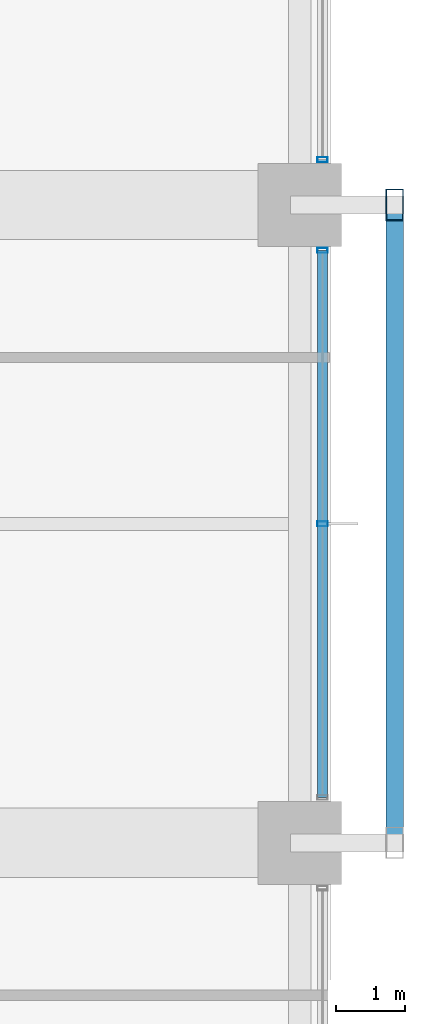
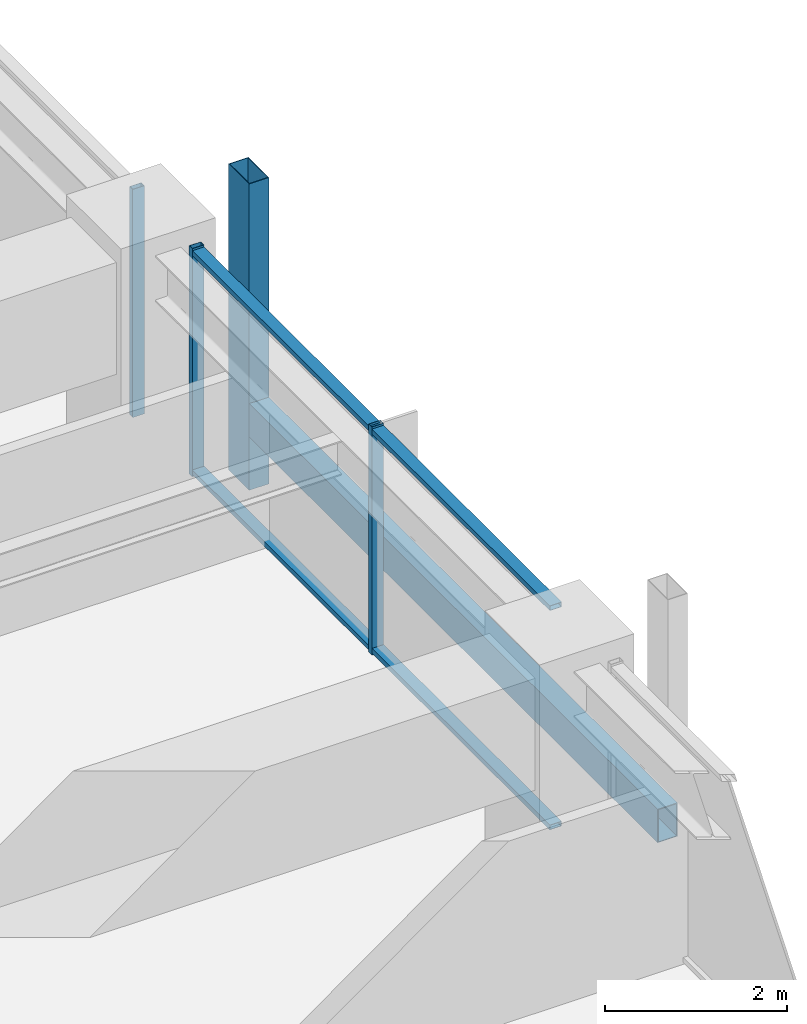
# One storey, part 15 of 37: 7 members, 2 elements without a shape of their own.
"""IFC4 building model written with IfcOpenShell, lengths in metres."""

from ifc_helpers import new_model, si_unit, direction, frame, origin, origin_2d, place, context, subcontext, project, spatial, hollow_rectangle, extrude, material, material_profile, profile_set, type_object, element, aggregate, save


model = new_model("IFC4")

# Units and contexts
model_context = context("Model", 3, precision=1e-05, world=origin(), true_north=direction((0.0, 1.0)))
body_context = subcontext(model_context, "Body", "Model", "MODEL_VIEW")
ifc_project = project(units=[si_unit("LENGTHUNIT", "METRE"), si_unit("AREAUNIT", "SQUARE_METRE"), si_unit("VOLUMEUNIT", "CUBIC_METRE"), si_unit("PLANEANGLEUNIT", "RADIAN"), si_unit("MASSUNIT", "GRAM", prefix="KILO")], contexts=[model_context])

# Site, building, storey
site_placement = place(None, origin())
site = spatial("IfcSite", under=ifc_project, at=site_placement, CompositionType="ELEMENT")
building_placement = place(site_placement, origin())
building = spatial("IfcBuilding", under=site, at=building_placement, Name="Kolvaren Belvedere", CompositionType="ELEMENT")
storey_placement = place(building_placement, frame((0.0, 0.0, 43.60009765625)))
storey = spatial("IfcBuildingStorey", under=building, at=storey_placement, Name="L12", CompositionType="ELEMENT", Elevation=43.60009765625)

# Curtain wall, member
ifc_material_1 = material(Name="Anodised pale-metal aluminium AA 6063-T6", Category="aluminium")
curtain_wall_type = type_object("IfcCurtainWallType", Name="CW-Z1-LOW", PredefinedType="NOTDEFINED", material=ifc_material_1)
curtain_wall_1_placement = place(storey_placement, origin())
curtain_wall_1 = element("IfcCurtainWall", 1, at=curtain_wall_1_placement, inside=storey, type_object=curtain_wall_type, Name="L12 Unitised Curtain Wall FCW-L12-E-B1", PredefinedType="NOTDEFINED")
ifc_material_2 = material(Name="Anodised pale-metal aluminium AA 6063-T6", Category="aluminium")
ifc_material_profile_1 = material_profile(ifc_material_2, hollow_rectangle(XDim=0.070068359375, YDim=0.14990234375, WallThickness=0.004150390625, at=origin_2d()), Name="ALU-MUL-150X70")
ifc_profile_set_1 = profile_set([ifc_material_profile_1], Name="Anodised pale-metal aluminium AA 6063-T6")
member_type_1 = type_object("IfcMemberType", Name="CW-MUL-150", PredefinedType="MULLION", material=ifc_profile_set_1)
member_1_placement = place(storey_placement, frame((21.8798828125, 5.2548828125, 0.0), z_axis=(0.0, 0.0, 1.0), x_axis=(0.0, 1.0, 0.0)))
member_1 = element("IfcMember", 2, at=member_1_placement, type_object=member_type_1, Name="FCW-L12-E-B1 Unitised Mullion 3", PredefinedType="MULLION", context=body_context, shape_type="SweptSolid", body=[
    extrude(hollow_rectangle(XDim=0.070068359375, YDim=0.14990234375, WallThickness=0.004150390625, at=origin_2d()), origin(), (0.0, 0.0, 1.0), 3.059814453125),
])
aggregate(curtain_wall_1, [member_1])

# Curtain wall, members
curtain_wall_2_placement = place(storey_placement, origin())
curtain_wall_2 = element("IfcCurtainWall", 3, at=curtain_wall_2_placement, inside=storey, type_object=curtain_wall_type, Name="L12 Unitised Curtain Wall FCW-L12-E-B2", PredefinedType="NOTDEFINED")
member_2_placement = place(storey_placement, frame((21.8798828125, 3.945068359375, 0.0), z_axis=(0.0, 0.0, 1.0), x_axis=(0.0, 1.0, 0.0)))
member_2 = element("IfcMember", 4, at=member_2_placement, type_object=member_type_1, Name="FCW-L12-E-B2 Unitised Mullion 1", PredefinedType="MULLION", context=body_context, shape_type="SweptSolid", body=[
    extrude(hollow_rectangle(XDim=0.070068359375, YDim=0.14990234375, WallThickness=0.004150390625, at=origin_2d()), origin(), (0.0, 0.0, 1.0), 3.059814453125),
])
member_3_placement = place(storey_placement, frame((21.8798828125, 0.0, 0.0), z_axis=(0.0, 0.0, 1.0), x_axis=(0.0, 1.0, 0.0)))
member_3 = element("IfcMember", 5, at=member_3_placement, type_object=member_type_1, Name="FCW-L12-E-B2 Unitised Mullion 2", PredefinedType="MULLION", context=body_context, shape_type="SweptSolid", body=[
    extrude(hollow_rectangle(XDim=0.070068359375, YDim=0.14990234375, WallThickness=0.004150390625, at=origin_2d()), origin(), (0.0, 0.0, 1.0), 3.059814453125),
])
ifc_material_3 = material(Name="Anodised pale-metal aluminium AA 6063-T6", Category="aluminium")
ifc_material_profile_2 = material_profile(ifc_material_3, hollow_rectangle(XDim=0.06494140625, YDim=0.14990234375, WallThickness=0.00390625, at=origin_2d()), Name="ALU-TRN-150X65")
ifc_profile_set_2 = profile_set([ifc_material_profile_2], Name="Anodised pale-metal aluminium AA 6063-T6")
member_type_2 = type_object("IfcMemberType", Name="CW-TRN-150", PredefinedType="USERDEFINED", material=ifc_profile_set_2)
member_4_placement = place(storey_placement, frame((21.8798828125, 3.945068359375, 0.059814453125), z_axis=(0.0, -1.0, 0.0), x_axis=(0.0, 0.0, 1.0)))
member_4 = element("IfcMember", 6, at=member_4_placement, type_object=member_type_2, Name="FCW-L12-E-B2 Sill Transom", ObjectType="TRANSOM", PredefinedType="USERDEFINED", context=body_context, shape_type="SweptSolid", body=[
    extrude(hollow_rectangle(XDim=0.06494140625, YDim=0.14990234375, WallThickness=0.00390625, at=origin_2d()), origin(), (0.0, 0.0, 1.0), 7.89013671875),
])
member_5_placement = place(storey_placement, frame((21.8798828125, 3.945068359375, 3.0), z_axis=(0.0, -1.0, 0.0), x_axis=(0.0, 0.0, 1.0)))
member_5 = element("IfcMember", 7, at=member_5_placement, type_object=member_type_2, Name="FCW-L12-E-B2 Head Transom", ObjectType="TRANSOM", PredefinedType="USERDEFINED", context=body_context, shape_type="SweptSolid", body=[
    extrude(hollow_rectangle(XDim=0.06494140625, YDim=0.14990234375, WallThickness=0.00390625, at=origin_2d()), origin(), (0.0, 0.0, 1.0), 7.89013671875),
])
aggregate(curtain_wall_2, [member_2, member_3, member_4, member_5])

# Members
ifc_material_4 = material(Name="Anodised pale-metal aluminium AA 6063-T6", Category="aluminium")
ifc_material_profile_3 = material_profile(ifc_material_4, hollow_rectangle(XDim=0.25, YDim=0.449951171875, WallThickness=0.008544921875, at=origin_2d()), Name="ALU-PF-450X250")
ifc_profile_set_3 = profile_set([ifc_material_profile_3], Name="Anodised pale-metal aluminium AA 6063-T6")
member_type_3 = type_object("IfcMemberType", Name="PF-FRAME-450", PredefinedType="USERDEFINED", material=ifc_profile_set_3)
member_6_placement = place(storey_placement, frame((22.919921875, 4.60009765625, -0.81005859375), z_axis=(0.0, 0.0, 1.0), x_axis=(1.0, 0.0, 0.0)))
element("IfcMember", 8, at=member_6_placement, inside=storey, type_object=member_type_3, Name="L12 Outboard Picture-Frame Vertical E1", ObjectType="PICTURE FRAME FIN", PredefinedType="USERDEFINED", context=body_context, shape_type="SweptSolid", body=[
    extrude(hollow_rectangle(XDim=0.25, YDim=0.449951171875, WallThickness=0.008544921875, at=origin_2d()), origin(), (0.0, 0.0, 1.0), 4.10986328125),
])
member_7_placement = place(storey_placement, frame((22.919921875, 4.60009765625, 0.1298828125), z_axis=(0.0, -1.0, 0.0), x_axis=(1.0, 0.0, 0.0)))
element("IfcMember", 9, at=member_7_placement, inside=storey, type_object=member_type_3, Name="L12 Outboard Picture-Frame Sill E", ObjectType="PICTURE FRAME FIN", PredefinedType="USERDEFINED", context=body_context, shape_type="SweptSolid", body=[
    extrude(hollow_rectangle(XDim=0.25, YDim=0.449951171875, WallThickness=0.008544921875, at=origin_2d()), origin(), (0.0, 0.0, 1.0), 9.2001953125),
])

save(model, "model.ifc")
